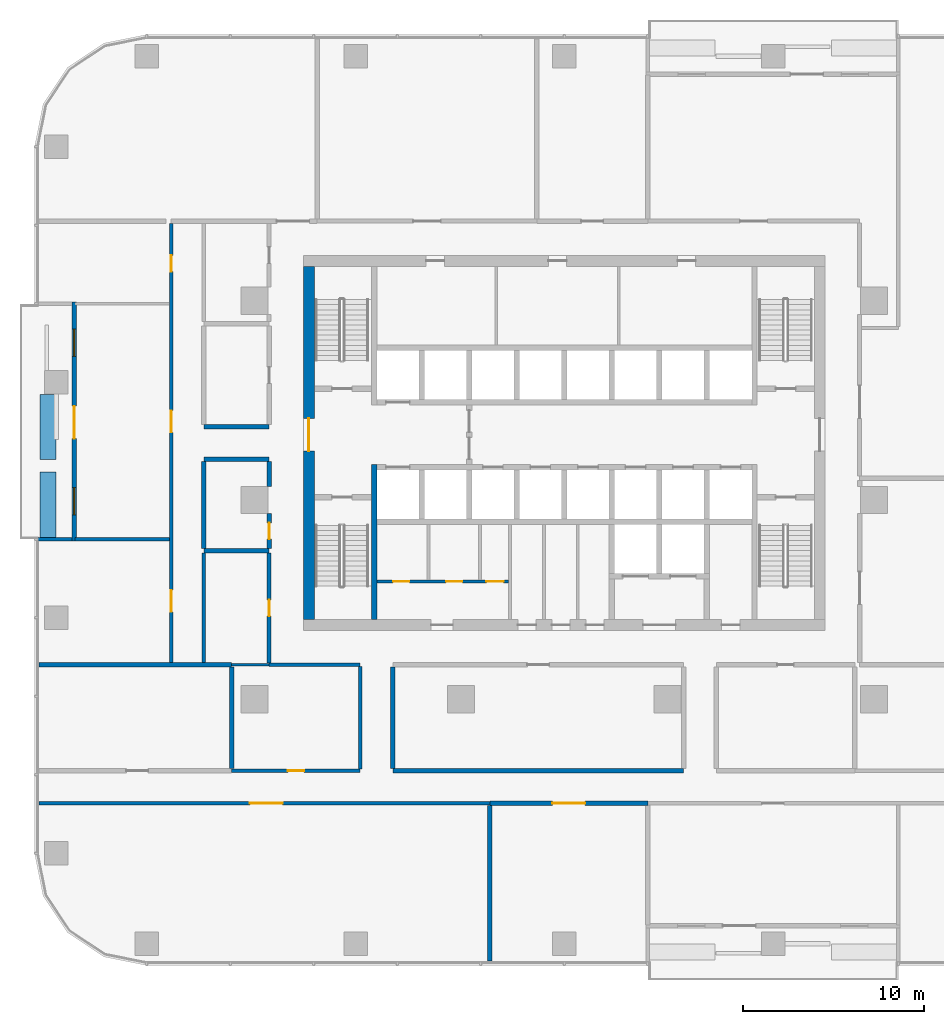
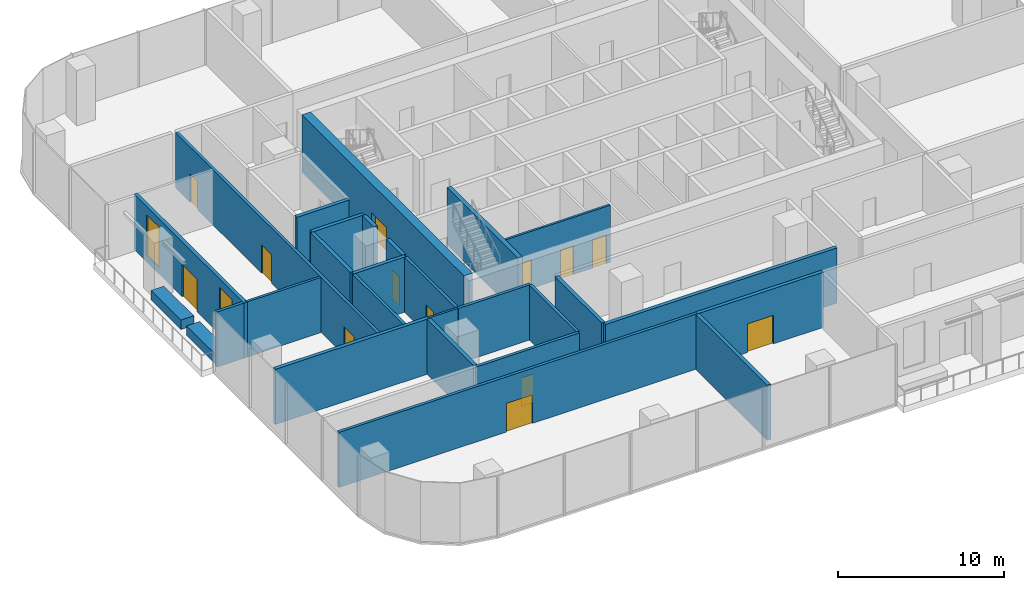
# One storey, part 7 of 15: 28 walls, 13 doors, 2 windows, 15 openings.
"""IFC4 building model written with IfcOpenShell, lengths in metres."""

from ifc_helpers import new_model, si_unit, direction, frame, frame_2d, origin, place, context, subcontext, project, spatial, rectangle, extrude, material, layer, layer_set, type_object, element, fill, save


model = new_model("IFC4")

# Units and contexts
model_context = context("Model", 3, precision=1e-05, world=origin(), true_north=direction((0.0, 1.0)))
body_context = subcontext(model_context, "Body", "Model", "MODEL_VIEW")
ifc_project = project(units=[si_unit("LENGTHUNIT", "METRE"), si_unit("AREAUNIT", "SQUARE_METRE"), si_unit("VOLUMEUNIT", "CUBIC_METRE"), si_unit("PLANEANGLEUNIT", "RADIAN"), si_unit("MASSUNIT", "GRAM", prefix="KILO")], contexts=[model_context])

# Site, building, storey
site_placement = place(None, origin())
site = spatial("IfcSite", under=ifc_project, at=site_placement, CompositionType="ELEMENT")
building_placement = place(site_placement, origin())
building = spatial("IfcBuilding", under=site, at=building_placement, Name="Mopane Tessera Tower", CompositionType="ELEMENT")
storey_placement = place(building_placement, frame((0.0, 0.0, 112.60009765625)))
storey = spatial("IfcBuildingStorey", under=building, at=storey_placement, Name="L22", CompositionType="ELEMENT", Elevation=112.60009765625)

# Wall, openings, doors
ifc_material_1 = material(Name="Fire-rated gypsum board partition")
ifc_layer_1 = layer(ifc_material_1, 0.14990234375)
ifc_layer_set_1 = layer_set([ifc_layer_1], Name="Fire-rated gypsum board partition")
wall_type_1 = type_object("IfcWallType", Name="Core room partition 150 mm", PredefinedType="PARTITIONING", material=ifc_layer_set_1)
wall_1_placement = place(storey_placement, frame((-10.35009765625, -4.5, 0.0), z_axis=(0.0, 0.0, 1.0), x_axis=(1.0, 0.0, 0.0)))
wall_1 = element("IfcWall", 1, at=wall_1_placement, inside=storey, type_object=wall_type_1, Name="L22 WC partition", PredefinedType="PARTITIONING", context=body_context, shape_type="SweptSolid", body=[
    extrude(rectangle(XDim=7.275146484375, YDim=0.14990234375, at=frame_2d((3.6376953125, 0.0))), origin(), (0.0, 0.0, 1.0), 4.199951171875),
])
opening_1_placement = place(wall_1_placement, frame((0.89990234375, 0.0, 0.0)))
opening_1 = element("IfcOpeningElement", 2, at=opening_1_placement, cuts=wall_1, Name="Opening WD1", PredefinedType="OPENING", context=body_context, shape_type="SweptSolid", body=[
    extrude(rectangle(XDim=0.89990234375, YDim=2.10009765625, at=frame_2d((0.449951171875, 1.050048828125))), frame((0.0, 0.0869140625, 0.0), z_axis=(0.0, -1.0, 0.0), x_axis=(1.0, 0.0, 0.0)), (0.0, 0.0, 1.0), 0.173828125),
])
opening_2_placement = place(wall_1_placement, frame((3.824951171875, 0.0, 0.0)))
opening_2 = element("IfcOpeningElement", 3, at=opening_2_placement, cuts=wall_1, Name="Opening WD1", PredefinedType="OPENING", context=body_context, shape_type="SweptSolid", body=[
    extrude(rectangle(XDim=0.89990234375, YDim=2.10009765625, at=frame_2d((0.449951171875, 1.050048828125))), frame((0.0, 0.0869140625, 0.0), z_axis=(0.0, -1.0, 0.0), x_axis=(1.0, 0.0, 0.0)), (0.0, 0.0, 1.0), 0.173828125),
])
opening_3_placement = place(wall_1_placement, frame((6.050048828125, 0.0, 0.0)))
opening_3 = element("IfcOpeningElement", 4, at=opening_3_placement, cuts=wall_1, Name="Opening WD2", PredefinedType="OPENING", context=body_context, shape_type="SweptSolid", body=[
    extrude(rectangle(XDim=0.949951171875, YDim=2.10009765625, at=frame_2d((0.47509765625, 1.050048828125))), frame((0.0, 0.0869140625, 0.0), z_axis=(0.0, -1.0, 0.0), x_axis=(1.0, 0.0, 0.0)), (0.0, 0.0, 1.0), 0.173828125),
])
ifc_material_2 = material(Name="Timber door", Category="wood")
door_type_1 = type_object("IfcDoorType", Name="Accessible WC door 950 x 2100", OperationType="SINGLE_SWING_LEFT", PredefinedType="DOOR", material=ifc_material_2)
door_1_placement = place(opening_3_placement, origin())
door_1 = element("IfcDoor", 5, at=door_1_placement, inside=storey, type_object=door_type_1, Name="L22 Accessible WC door", OperationType="SINGLE_SWING_LEFT", OverallHeight=2.10009765625, OverallWidth=0.949951171875, PredefinedType="DOOR", context=body_context, shape_type="SweptSolid", body=[
    extrude(rectangle(XDim=0.949951171875, YDim=2.10009765625, at=frame_2d((0.47509765625, 1.050048828125))), frame((0.0, 0.02490234375, 0.0), z_axis=(0.0, -1.0, 0.0), x_axis=(1.0, 0.0, 0.0)), (0.0, 0.0, 1.0), 0.050048828125),
])
fill(opening_3, door_1)
ifc_material_3 = material(Name="Timber door", Category="wood")
door_type_2 = type_object("IfcDoorType", Name="WC cubicle door 900 x 2100", OperationType="SINGLE_SWING_LEFT", PredefinedType="DOOR", material=ifc_material_3)
door_2_placement = place(opening_1_placement, origin())
door_2 = element("IfcDoor", 6, at=door_2_placement, inside=storey, type_object=door_type_2, Name="L22 Men's WC door", OperationType="SINGLE_SWING_LEFT", OverallHeight=2.10009765625, OverallWidth=0.89990234375, PredefinedType="DOOR", context=body_context, shape_type="SweptSolid", body=[
    extrude(rectangle(XDim=0.89990234375, YDim=2.10009765625, at=frame_2d((0.449951171875, 1.050048828125))), frame((0.0, 0.02490234375, 0.0), z_axis=(0.0, -1.0, 0.0), x_axis=(1.0, 0.0, 0.0)), (0.0, 0.0, 1.0), 0.050048828125),
])
fill(opening_1, door_2)
door_3_placement = place(opening_2_placement, origin())
door_3 = element("IfcDoor", 7, at=door_3_placement, inside=storey, type_object=door_type_2, Name="L22 Women's WC door", OperationType="SINGLE_SWING_LEFT", OverallHeight=2.10009765625, OverallWidth=0.89990234375, PredefinedType="DOOR", context=body_context, shape_type="SweptSolid", body=[
    extrude(rectangle(XDim=0.89990234375, YDim=2.10009765625, at=frame_2d((0.449951171875, 1.050048828125))), frame((0.0, 0.02490234375, 0.0), z_axis=(0.0, -1.0, 0.0), x_axis=(1.0, 0.0, 0.0)), (0.0, 0.0, 1.0), 0.050048828125),
])
fill(opening_2, door_3)

# Wall, opening, door
ifc_material_4 = material(Name="Concrete C70/85", Category="concrete")
ifc_layer_2 = layer(ifc_material_4, 0.60009765625)
ifc_layer_set_2 = layer_set([ifc_layer_2], Name="Concrete C70/85")
wall_type_2 = type_object("IfcWallType", Name="Core shear wall 600 mm", PredefinedType="SHEAR", material=ifc_layer_set_2)
wall_2_placement = place(storey_placement, frame((-14.10009765625, -6.60009765625, 0.0), z_axis=(0.0, 0.0, 1.0), x_axis=(0.0, 1.0, 0.0)))
wall_2 = element("IfcWall", 8, at=wall_2_placement, inside=storey, type_object=wall_type_2, Name="L22 Core wall west", PredefinedType="SHEAR", context=body_context, shape_type="SweptSolid", body=[
    extrude(rectangle(XDim=19.5, YDim=0.60009765625, at=frame_2d((9.75, 0.0))), origin(), (0.0, 0.0, 1.0), 4.199951171875),
])
opening_4_placement = place(wall_2_placement, frame((9.300048828125, 0.0, 0.0)))
opening_4 = element("IfcOpeningElement", 9, at=opening_4_placement, cuts=wall_2, Name="Opening SD2", PredefinedType="OPENING", context=body_context, shape_type="SweptSolid", body=[
    extrude(rectangle(XDim=1.800048828125, YDim=2.10009765625, at=frame_2d((0.89990234375, 1.050048828125))), frame((0.0, 0.31201171875, 0.0), z_axis=(0.0, -1.0, 0.0), x_axis=(1.0, 0.0, 0.0)), (0.0, 0.0, 1.0), 0.6240234375),
])
ifc_material_5 = material(Name="Steel fire door", Category="steel")
door_type_3 = type_object("IfcDoorType", Name="Core entrance double door 1800 x 2100", OperationType="DOUBLE_DOOR_SINGLE_SWING", PredefinedType="DOOR", material=ifc_material_5)
door_4_placement = place(opening_4_placement, origin())
door_4 = element("IfcDoor", 10, at=door_4_placement, inside=storey, type_object=door_type_3, Name="L22 Core entrance door west", OperationType="DOUBLE_DOOR_SINGLE_SWING", OverallHeight=2.10009765625, OverallWidth=1.800048828125, PredefinedType="DOOR", context=body_context, shape_type="SweptSolid", body=[
    extrude(rectangle(XDim=1.800048828125, YDim=2.10009765625, at=frame_2d((0.89990234375, 1.050048828125))), frame((0.0, 0.02490234375, 0.0), z_axis=(0.0, -1.0, 0.0), x_axis=(1.0, 0.0, 0.0)), (0.0, 0.0, 1.0), 0.050048828125),
])
fill(opening_4, door_4)

# Walls
ifc_material_6 = material(Name="Concrete C60/75", Category="concrete")
ifc_layer_3 = layer(ifc_material_6, 0.300048828125)
ifc_layer_set_3 = layer_set([ifc_layer_3], Name="Concrete C60/75")
wall_type_3 = type_object("IfcWallType", Name="Core spine wall 300 mm", PredefinedType="SHEAR", material=ifc_layer_set_3)
wall_3_placement = place(storey_placement, frame((-10.5, -6.60009765625, 0.0), z_axis=(0.0, 0.0, 1.0), x_axis=(0.0, 1.0, 0.0)))
element("IfcWall", 11, at=wall_3_placement, inside=storey, type_object=wall_type_3, Name="L22 Core spine wall", PredefinedType="SHEAR", context=body_context, shape_type="SweptSolid", body=[
    extrude(rectangle(XDim=8.550048828125, YDim=0.300048828125, at=frame_2d((4.27490234375, 0.0))), origin(), (0.0, 0.0, 1.0), 4.199951171875),
])
ifc_material_7 = material(Name="Gypsum board on staggered steel studs, double layer each face, acoustic mineral wool infill", Category="steel")
ifc_layer_4 = layer(ifc_material_7, 0.175048828125)
ifc_layer_set_4 = layer_set([ifc_layer_4], Name="Gypsum board on staggered steel studs, double layer each face, acoustic mineral wool infill")
wall_type_4 = type_object("IfcWallType", Name="Gypsum board acoustic partition 175, rated EI 60", PredefinedType="PARTITIONING", material=ifc_layer_set_4)
wall_4_placement = place(storey_placement, frame((-27.0, -2.1650390625, 0.0), z_axis=(0.0, 0.0, 1.0), x_axis=(1.0, 0.0, 0.0)))
element("IfcWall", 12, at=wall_4_placement, inside=storey, type_object=wall_type_4, Name="Partition L22:015", PredefinedType="PARTITIONING", context=body_context, shape_type="SweptSolid", body=[
    extrude(rectangle(XDim=5.199951171875, YDim=0.175048828125, at=frame_2d((2.60009765625, 0.0))), origin(), (0.0, 0.0, 1.0), 4.0498046875),
])

# Wall, opening, door
ifc_material_8 = material(Name="Gypsum board on steel studs, two layers each face, mineral wool infill", Category="steel")
ifc_layer_5 = layer(ifc_material_8, 0.199951171875)
ifc_layer_set_5 = layer_set([ifc_layer_5], Name="Gypsum board on steel studs, two layers each face, mineral wool infill")
wall_type_5 = type_object("IfcWallType", Name="Gypsum board corridor wall 200, rated EI 60", PredefinedType="PARTITIONING", material=ifc_layer_set_5)
wall_5_placement = place(storey_placement, frame((-29.0, -16.75, 0.0), z_axis=(0.0, 0.0, 1.0), x_axis=(1.0, 0.0, 0.0)))
wall_5 = element("IfcWall", 13, at=wall_5_placement, inside=storey, type_object=wall_type_5, Name="Partition L22:000", PredefinedType="PARTITIONING", context=body_context, shape_type="SweptSolid", body=[
    extrude(rectangle(XDim=24.885009765625, YDim=0.199951171875, at=frame_2d((12.4423828125, 0.0))), origin(), (0.0, 0.0, 1.0), 4.0498046875),
])
opening_5_placement = place(wall_5_placement, frame((11.642578125, 0.0, 0.0)))
opening_5 = element("IfcOpeningElement", 14, at=opening_5_placement, cuts=wall_5, Name="Opening L22-08", PredefinedType="OPENING", context=body_context, shape_type="SweptSolid", body=[
    extrude(rectangle(XDim=1.800048828125, YDim=2.10009765625, at=frame_2d((0.89990234375, 1.050048828125))), frame((0.0, 0.112060546875, 0.0), z_axis=(0.0, -1.0, 0.0), x_axis=(1.0, 0.0, 0.0)), (0.0, 0.0, 1.0), 0.223876953125),
])
ifc_material_9 = material(Name="Timber veneered steel-framed fire door", Category="steel")
door_type_4 = type_object("IfcDoorType", Name="Fire door pair FD60 1800 x 2100", OperationType="DOUBLE_DOOR_SINGLE_SWING", PredefinedType="DOOR", material=ifc_material_9)
door_5_placement = place(opening_5_placement, origin())
door_5 = element("IfcDoor", 15, at=door_5_placement, inside=storey, type_object=door_type_4, Name="Door L22-08", ObjectType="D20A", OperationType="DOUBLE_DOOR_SINGLE_SWING", OverallHeight=2.10009765625, OverallWidth=1.800048828125, PredefinedType="DOOR", context=body_context, shape_type="SweptSolid", body=[
    extrude(rectangle(XDim=1.800048828125, YDim=2.10009765625, at=frame_2d((0.89990234375, 1.050048828125))), frame((0.0, 0.02490234375, 0.0), z_axis=(0.0, -1.0, 0.0), x_axis=(1.0, 0.0, 0.0)), (0.0, 0.0, 1.0), 0.050048828125),
])
fill(opening_5, door_5)

wall_6_placement = place(storey_placement, frame((-18.364990234375, -14.949951171875, 0.0), z_axis=(0.0, 0.0, 1.0), x_axis=(1.0, 0.0, 0.0)))
wall_6 = element("IfcWall", 16, at=wall_6_placement, inside=storey, type_object=wall_type_5, Name="Partition L22:003", PredefinedType="PARTITIONING", context=body_context, shape_type="SweptSolid", body=[
    extrude(rectangle(XDim=7.094970703125, YDim=0.199951171875, at=frame_2d((3.54736328125, 0.0))), origin(), (0.0, 0.0, 1.0), 4.0498046875),
])
opening_6_placement = place(wall_6_placement, frame((3.097412109375, 0.0, 0.0)))
opening_6 = element("IfcOpeningElement", 17, at=opening_6_placement, cuts=wall_6, Name="Opening L22-14", PredefinedType="OPENING", context=body_context, shape_type="SweptSolid", body=[
    extrude(rectangle(XDim=0.89990234375, YDim=2.10009765625, at=frame_2d((0.449951171875, 1.050048828125))), frame((0.0, 0.112060546875, 0.0), z_axis=(0.0, -1.0, 0.0), x_axis=(1.0, 0.0, 0.0)), (0.0, 0.0, 1.0), 0.223876953125),
])
ifc_material_10 = material(Name="Timber veneered steel-framed fire door", Category="steel")
door_type_5 = type_object("IfcDoorType", Name="Fire door FD60 900 x 2100", OperationType="SINGLE_SWING_LEFT", PredefinedType="DOOR", material=ifc_material_10)
door_6_placement = place(opening_6_placement, origin())
door_6 = element("IfcDoor", 18, at=door_6_placement, inside=storey, type_object=door_type_5, Name="Door L22-14", ObjectType="D10A", OperationType="SINGLE_SWING_LEFT", OverallHeight=2.10009765625, OverallWidth=0.89990234375, PredefinedType="DOOR", context=body_context, shape_type="SweptSolid", body=[
    extrude(rectangle(XDim=0.89990234375, YDim=2.10009765625, at=frame_2d((0.449951171875, 1.050048828125))), frame((0.0, 0.02490234375, 0.0), z_axis=(0.0, -1.0, 0.0), x_axis=(1.0, 0.0, 0.0)), (0.0, 0.0, 1.0), 0.050048828125),
])
fill(opening_6, door_6)

# Wall
wall_7_placement = place(storey_placement, frame((-16.300048828125, -9.10009765625, 0.0), z_axis=(0.0, 0.0, 1.0), x_axis=(1.0, 0.0, 0.0)))
element("IfcWall", 19, at=wall_7_placement, inside=storey, type_object=wall_type_5, Name="Partition L22:009", PredefinedType="PARTITIONING", context=body_context, shape_type="SweptSolid", body=[
    extrude(rectangle(XDim=5.030029296875, YDim=0.199951171875, at=frame_2d((2.51513671875, 0.0))), origin(), (0.0, 0.0, 1.0), 4.0498046875),
])

# Wall, openings, doors
wall_8_placement = place(storey_placement, frame((-21.699951171875, -8.97509765625, 0.0), z_axis=(0.0, 0.0, 1.0), x_axis=(0.0, 1.0, 0.0)))
wall_8 = element("IfcWall", 20, at=wall_8_placement, inside=storey, type_object=wall_type_5, Name="Partition L22:027", PredefinedType="PARTITIONING", context=body_context, shape_type="SweptSolid", body=[
    extrude(rectangle(XDim=24.25, YDim=0.199951171875, at=frame_2d((12.125, 0.0))), origin(), (0.0, 0.0, 1.0), 4.0498046875),
])
opening_7_placement = place(wall_8_placement, frame((2.804931640625, 0.0, 0.0)))
opening_7 = element("IfcOpeningElement", 21, at=opening_7_placement, cuts=wall_8, Name="Opening L22-03", PredefinedType="OPENING", context=body_context, shape_type="SweptSolid", body=[
    extrude(rectangle(XDim=1.199951171875, YDim=2.10009765625, at=frame_2d((0.60009765625, 1.050048828125))), frame((0.0, 0.112060546875, 0.0), z_axis=(0.0, -1.0, 0.0), x_axis=(1.0, 0.0, 0.0)), (0.0, 0.0, 1.0), 0.223876953125),
])
opening_8_placement = place(wall_8_placement, frame((21.580078125, 0.0, 0.0)))
opening_8 = element("IfcOpeningElement", 22, at=opening_8_placement, cuts=wall_8, Name="Opening L22-07", PredefinedType="OPENING", context=body_context, shape_type="SweptSolid", body=[
    extrude(rectangle(XDim=0.89990234375, YDim=2.10009765625, at=frame_2d((0.449951171875, 1.050048828125))), frame((0.0, 0.112060546875, 0.0), z_axis=(0.0, -1.0, 0.0), x_axis=(1.0, 0.0, 0.0)), (0.0, 0.0, 1.0), 0.223876953125),
])
opening_9_placement = place(wall_8_placement, frame((12.7099609375, 0.0, 0.0)))
opening_9 = element("IfcOpeningElement", 23, at=opening_9_placement, cuts=wall_8, Name="Opening L22-16", PredefinedType="OPENING", context=body_context, shape_type="SweptSolid", body=[
    extrude(rectangle(XDim=1.199951171875, YDim=2.10009765625, at=frame_2d((0.60009765625, 1.050048828125))), frame((0.0, 0.112060546875, 0.0), z_axis=(0.0, -1.0, 0.0), x_axis=(1.0, 0.0, 0.0)), (0.0, 0.0, 1.0), 0.223876953125),
])
ifc_material_11 = material(Name="Timber veneered steel-framed fire door", Category="steel")
door_type_6 = type_object("IfcDoorType", Name="Fire door FD60 1200 x 2100", OperationType="SINGLE_SWING_LEFT", PredefinedType="DOOR", material=ifc_material_11)
door_7_placement = place(opening_7_placement, origin())
door_7 = element("IfcDoor", 24, at=door_7_placement, inside=storey, type_object=door_type_6, Name="Door L22-03", ObjectType="D15A", OperationType="SINGLE_SWING_RIGHT", OverallHeight=2.10009765625, OverallWidth=1.199951171875, PredefinedType="DOOR", context=body_context, shape_type="SweptSolid", body=[
    extrude(rectangle(XDim=1.199951171875, YDim=2.10009765625, at=frame_2d((0.60009765625, 1.050048828125))), frame((0.0, 0.02490234375, 0.0), z_axis=(0.0, -1.0, 0.0), x_axis=(1.0, 0.0, 0.0)), (0.0, 0.0, 1.0), 0.050048828125),
])
fill(opening_7, door_7)
door_8_placement = place(opening_9_placement, origin())
door_8 = element("IfcDoor", 25, at=door_8_placement, inside=storey, type_object=door_type_6, Name="Door L22-16", ObjectType="D15A", OperationType="SINGLE_SWING_LEFT", OverallHeight=2.10009765625, OverallWidth=1.199951171875, PredefinedType="DOOR", context=body_context, shape_type="SweptSolid", body=[
    extrude(rectangle(XDim=1.199951171875, YDim=2.10009765625, at=frame_2d((0.60009765625, 1.050048828125))), frame((0.0, 0.02490234375, 0.0), z_axis=(0.0, -1.0, 0.0), x_axis=(1.0, 0.0, 0.0)), (0.0, 0.0, 1.0), 0.050048828125),
])
fill(opening_9, door_8)
door_9_placement = place(opening_8_placement, origin())
door_9 = element("IfcDoor", 26, at=door_9_placement, inside=storey, type_object=door_type_5, Name="Door L22-07", ObjectType="D10A", OperationType="SINGLE_SWING_RIGHT", OverallHeight=2.10009765625, OverallWidth=0.89990234375, PredefinedType="DOOR", context=body_context, shape_type="SweptSolid", body=[
    extrude(rectangle(XDim=0.89990234375, YDim=2.10009765625, at=frame_2d((0.449951171875, 1.050048828125))), frame((0.0, 0.02490234375, 0.0), z_axis=(0.0, -1.0, 0.0), x_axis=(1.0, 0.0, 0.0)), (0.0, 0.0, 1.0), 0.050048828125),
])
fill(opening_8, door_9)

# Wall
wall_9_placement = place(storey_placement, frame((-19.89990234375, -8.97509765625, 0.0), z_axis=(0.0, 0.0, 1.0), x_axis=(0.0, 1.0, 0.0)))
element("IfcWall", 27, at=wall_9_placement, inside=storey, type_object=wall_type_5, Name="Partition L22:028", PredefinedType="PARTITIONING", context=body_context, shape_type="SweptSolid", body=[
    extrude(rectangle(XDim=6.06005859375, YDim=0.199951171875, at=frame_2d((3.030029296875, 0.0))), origin(), (0.0, 0.0, 1.0), 4.0498046875),
])

# Wall, opening, door
wall_10_placement = place(storey_placement, frame((-16.300048828125, -9.0, 0.0), z_axis=(0.0, 0.0, 1.0), x_axis=(0.0, 1.0, 0.0)))
wall_10 = element("IfcWall", 28, at=wall_10_placement, inside=storey, type_object=wall_type_5, Name="Partition L22:033", PredefinedType="PARTITIONING", context=body_context, shape_type="SweptSolid", body=[
    extrude(rectangle(XDim=6.0849609375, YDim=0.199951171875, at=frame_2d((3.04248046875, 0.0))), origin(), (0.0, 0.0, 1.0), 4.0498046875),
])
opening_10_placement = place(wall_10_placement, frame((2.592529296875, 0.0, 0.0)))
opening_10 = element("IfcOpeningElement", 29, at=opening_10_placement, cuts=wall_10, Name="Opening L22-13", PredefinedType="OPENING", context=body_context, shape_type="SweptSolid", body=[
    extrude(rectangle(XDim=0.89990234375, YDim=2.10009765625, at=frame_2d((0.449951171875, 1.050048828125))), frame((0.0, 0.112060546875, 0.0), z_axis=(0.0, -1.0, 0.0), x_axis=(1.0, 0.0, 0.0)), (0.0, 0.0, 1.0), 0.223876953125),
])
door_10_placement = place(opening_10_placement, origin())
door_10 = element("IfcDoor", 30, at=door_10_placement, inside=storey, type_object=door_type_5, Name="Door L22-13", ObjectType="D10A", OperationType="SINGLE_SWING_RIGHT", OverallHeight=2.10009765625, OverallWidth=0.89990234375, PredefinedType="DOOR", context=body_context, shape_type="SweptSolid", body=[
    extrude(rectangle(XDim=0.89990234375, YDim=2.10009765625, at=frame_2d((0.449951171875, 1.050048828125))), frame((0.0, 0.02490234375, 0.0), z_axis=(0.0, -1.0, 0.0), x_axis=(1.0, 0.0, 0.0)), (0.0, 0.0, 1.0), 0.050048828125),
])
fill(opening_10, door_10)

# Walls
wall_11_placement = place(storey_placement, frame((-11.27001953125, -14.85009765625, 0.0), z_axis=(0.0, 0.0, 1.0), x_axis=(0.0, 1.0, 0.0)))
element("IfcWall", 31, at=wall_11_placement, inside=storey, type_object=wall_type_5, Name="Partition L22:040", PredefinedType="PARTITIONING", context=body_context, shape_type="SweptSolid", body=[
    extrude(rectangle(XDim=5.650146484375, YDim=0.199951171875, at=frame_2d((2.8251953125, 0.0))), origin(), (0.0, 0.0, 1.0), 4.0498046875),
])
ifc_material_12 = material(Name="Gypsum board on steel studs, mineral wool infill", Category="steel")
ifc_layer_6 = layer(ifc_material_12, 0.14990234375)
ifc_layer_set_6 = layer_set([ifc_layer_6], Name="Gypsum board on steel studs, mineral wool infill")
wall_type_6 = type_object("IfcWallType", Name="Gypsum board partition 150, rated EI 60", PredefinedType="PARTITIONING", material=ifc_layer_set_6)
wall_12_placement = place(storey_placement, frame((-18.364990234375, -9.10009765625, 0.0), z_axis=(0.0, 0.0, 1.0), x_axis=(1.0, 0.0, 0.0)))
element("IfcWall", 32, at=wall_12_placement, inside=storey, type_object=wall_type_6, Name="Partition L22:008", PredefinedType="PARTITIONING", context=body_context, shape_type="SweptSolid", body=[
    extrude(rectangle(XDim=2.06494140625, YDim=0.14990234375, at=frame_2d((1.032470703125, 0.0))), origin(), (0.0, 0.0, 1.0), 4.0498046875),
])
ifc_material_13 = material(Name="Reinforced concrete C32/40 with waterproofing", Category="concrete")
ifc_layer_7 = layer(ifc_material_13, 0.89990234375)
ifc_layer_set_7 = layer_set([ifc_layer_7], Name="Reinforced concrete C32/40 with waterproofing")
wall_type_7 = type_object("IfcWallType", Name="Planter trough 3600 x 900", PredefinedType="STANDARD", material=ifc_layer_set_7)
for number, where, z_axis, x_axis, name in (
    (33, (-28.5, 5.830078125, 0.0), (0.0, 0.0, 1.0), (0.0, -1.0, 0.0), "e:nw:L22:N2:pl0"),
    (34, (-28.5, 1.533447265625, 0.0), (0.0, 0.0, 1.0), (0.0, -1.0, 0.0), "e:nw:L22:N2:pl1"),
):
    element("IfcWall", number, at=place(storey_placement, frame(where, z_axis=z_axis, x_axis=x_axis)), inside=storey, type_object=wall_type_7, Name=name, PredefinedType="STANDARD", context=body_context, shape_type="SweptSolid", body=[
        extrude(rectangle(XDim=3.60009765625, YDim=0.89990234375, at=frame_2d((1.800048828125, 0.0))), origin(), (0.0, 0.0, 1.0), 0.699951171875),
    ])

# Wall, opening, door
ifc_material_14 = material(Name="Plastered concrete blockwork C20/25", Category="masonry")
ifc_layer_8 = layer(ifc_material_14, 0.25)
ifc_layer_set_8 = layer_set([ifc_layer_8], Name="Plastered concrete blockwork C20/25")
wall_type_8 = type_object("IfcWallType", Name="Plastered blockwork wall 250, rated EI 120", PredefinedType="PARTITIONING", material=ifc_layer_set_8)
wall_13_placement = place(storey_placement, frame((-4.114990234375, -16.75, 0.0), z_axis=(0.0, 0.0, 1.0), x_axis=(1.0, 0.0, 0.0)))
wall_13 = element("IfcWall", 35, at=wall_13_placement, inside=storey, type_object=wall_type_8, Name="Partition L22:002", PredefinedType="PARTITIONING", context=body_context, shape_type="SweptSolid", body=[
    extrude(rectangle(XDim=8.72509765625, YDim=0.25, at=frame_2d((4.362548828125, 0.0))), origin(), (0.0, 0.0, 1.0), 4.0498046875),
])
opening_11_placement = place(wall_13_placement, frame((3.46240234375, 0.0, 0.0)))
opening_11 = element("IfcOpeningElement", 36, at=opening_11_placement, cuts=wall_13, Name="Opening L22-22", PredefinedType="OPENING", context=body_context, shape_type="SweptSolid", body=[
    extrude(rectangle(XDim=1.800048828125, YDim=2.10009765625, at=frame_2d((0.89990234375, 1.050048828125))), frame((0.0, 0.136962890625, 0.0), z_axis=(0.0, -1.0, 0.0), x_axis=(1.0, 0.0, 0.0)), (0.0, 0.0, 1.0), 0.27392578125),
])
ifc_material_15 = material(Name="Timber veneered steel-framed fire door", Category="steel")
door_type_7 = type_object("IfcDoorType", Name="Fire door pair FD120 1800 x 2100", OperationType="DOUBLE_DOOR_SINGLE_SWING", PredefinedType="DOOR", material=ifc_material_15)
door_11_placement = place(opening_11_placement, origin())
door_11 = element("IfcDoor", 37, at=door_11_placement, inside=storey, type_object=door_type_7, Name="Door L22-22", ObjectType="D20B", OperationType="DOUBLE_DOOR_SINGLE_SWING", OverallHeight=2.10009765625, OverallWidth=1.800048828125, PredefinedType="DOOR", context=body_context, shape_type="SweptSolid", body=[
    extrude(rectangle(XDim=1.800048828125, YDim=2.10009765625, at=frame_2d((0.89990234375, 1.050048828125))), frame((0.0, 0.02490234375, 0.0), z_axis=(0.0, -1.0, 0.0), x_axis=(1.0, 0.0, 0.0)), (0.0, 0.0, 1.0), 0.050048828125),
])
fill(opening_11, door_11)

# Walls
wall_14_placement = place(storey_placement, frame((-9.469970703125, -14.949951171875, 0.0), z_axis=(0.0, 0.0, 1.0), x_axis=(1.0, 0.0, 0.0)))
element("IfcWall", 38, at=wall_14_placement, inside=storey, type_object=wall_type_8, Name="Partition L22:006", PredefinedType="PARTITIONING", context=body_context, shape_type="SweptSolid", body=[
    extrude(rectangle(XDim=16.06005859375, YDim=0.25, at=frame_2d((8.030029296875, 0.0))), origin(), (0.0, 0.0, 1.0), 4.0498046875),
])
wall_15_placement = place(storey_placement, frame((-29.0, -9.10009765625, 0.0), z_axis=(0.0, 0.0, 1.0), x_axis=(1.0, 0.0, 0.0)))
element("IfcWall", 39, at=wall_15_placement, inside=storey, type_object=wall_type_8, Name="Partition L22:010", PredefinedType="PARTITIONING", context=body_context, shape_type="SweptSolid", body=[
    extrude(rectangle(XDim=10.635009765625, YDim=0.25, at=frame_2d((5.3173828125, 0.0))), origin(), (0.0, 0.0, 1.0), 4.0498046875),
])
for number, where, z_axis, x_axis, name in (
    (40, (-19.89990234375, -2.7900390625, 0.0), (0.0, 0.0, 1.0), (1.0, 0.0, 0.0), "Partition L22:014"),
    (41, (-19.89990234375, 2.25, 0.0), (0.0, 0.0, 1.0), (1.0, 0.0, 0.0), "Partition L22:017"),
    (42, (-19.89990234375, 4.050048828125, 0.0), (0.0, 0.0, 1.0), (1.0, 0.0, 0.0), "Partition L22:018"),
):
    element("IfcWall", number, at=place(storey_placement, frame(where, z_axis=z_axis, x_axis=x_axis)), inside=storey, type_object=wall_type_8, Name=name, PredefinedType="PARTITIONING", context=body_context, shape_type="SweptSolid", body=[
        extrude(rectangle(XDim=3.599853515625, YDim=0.25, at=frame_2d((1.7998046875, 0.0))), origin(), (0.0, 0.0, 1.0), 4.0498046875),
    ])
wall_16_placement = place(storey_placement, frame((-19.89990234375, -2.6650390625, 0.0), z_axis=(0.0, 0.0, 1.0), x_axis=(0.0, 1.0, 0.0)))
element("IfcWall", 43, at=wall_16_placement, inside=storey, type_object=wall_type_8, Name="Partition L22:030", PredefinedType="PARTITIONING", context=body_context, shape_type="SweptSolid", body=[
    extrude(rectangle(XDim=4.7900390625, YDim=0.25, at=frame_2d((2.39501953125, 0.0))), origin(), (0.0, 0.0, 1.0), 4.0498046875),
])
wall_17_placement = place(storey_placement, frame((-18.364990234375, -14.824951171875, 0.0), z_axis=(0.0, 0.0, 1.0), x_axis=(0.0, 1.0, 0.0)))
element("IfcWall", 44, at=wall_17_placement, inside=storey, type_object=wall_type_8, Name="Partition L22:032", PredefinedType="PARTITIONING", context=body_context, shape_type="SweptSolid", body=[
    extrude(rectangle(XDim=5.599853515625, YDim=0.25, at=frame_2d((2.7998046875, 0.0))), origin(), (0.0, 0.0, 1.0), 4.0498046875),
])

# Wall, opening, door
wall_18_placement = place(storey_placement, frame((-16.300048828125, -2.6650390625, 0.0), z_axis=(0.0, 0.0, 1.0), x_axis=(0.0, 1.0, 0.0)))
wall_18 = element("IfcWall", 45, at=wall_18_placement, inside=storey, type_object=wall_type_8, Name="Partition L22:036", PredefinedType="PARTITIONING", context=body_context, shape_type="SweptSolid", body=[
    extrude(rectangle(XDim=1.9150390625, YDim=0.25, at=frame_2d((0.95751953125, 0.0))), origin(), (0.0, 0.0, 1.0), 4.0498046875),
])
opening_12_placement = place(wall_18_placement, frame((0.507568359375, 0.0, 0.0)))
opening_12 = element("IfcOpeningElement", 46, at=opening_12_placement, cuts=wall_18, Name="Opening L22-15", PredefinedType="OPENING", context=body_context, shape_type="SweptSolid", body=[
    extrude(rectangle(XDim=0.89990234375, YDim=2.10009765625, at=frame_2d((0.449951171875, 1.050048828125))), frame((0.0, 0.136962890625, 0.0), z_axis=(0.0, -1.0, 0.0), x_axis=(1.0, 0.0, 0.0)), (0.0, 0.0, 1.0), 0.27392578125),
])
ifc_material_16 = material(Name="Timber veneered steel-framed fire door", Category="steel")
door_type_8 = type_object("IfcDoorType", Name="Fire door FD120 900 x 2100", OperationType="SINGLE_SWING_LEFT", PredefinedType="DOOR", material=ifc_material_16)
door_12_placement = place(opening_12_placement, origin())
door_12 = element("IfcDoor", 47, at=door_12_placement, inside=storey, type_object=door_type_8, Name="Door L22-15", ObjectType="D10B", OperationType="SINGLE_SWING_LEFT", OverallHeight=2.10009765625, OverallWidth=0.89990234375, PredefinedType="DOOR", context=body_context, shape_type="SweptSolid", body=[
    extrude(rectangle(XDim=0.89990234375, YDim=2.10009765625, at=frame_2d((0.449951171875, 1.050048828125))), frame((0.0, 0.02490234375, 0.0), z_axis=(0.0, -1.0, 0.0), x_axis=(1.0, 0.0, 0.0)), (0.0, 0.0, 1.0), 0.050048828125),
])
fill(opening_12, door_12)

# Walls
wall_19_placement = place(storey_placement, frame((-16.300048828125, 0.75, 0.0), z_axis=(0.0, 0.0, 1.0), x_axis=(0.0, 1.0, 0.0)))
element("IfcWall", 48, at=wall_19_placement, inside=storey, type_object=wall_type_8, Name="Partition L22:037", PredefinedType="PARTITIONING", context=body_context, shape_type="SweptSolid", body=[
    extrude(rectangle(XDim=1.375, YDim=0.25, at=frame_2d((0.6875, 0.0))), origin(), (0.0, 0.0, 1.0), 4.0498046875),
])
wall_20_placement = place(storey_placement, frame((-9.469970703125, -14.824951171875, 0.0), z_axis=(0.0, 0.0, 1.0), x_axis=(0.0, 1.0, 0.0)))
element("IfcWall", 49, at=wall_20_placement, inside=storey, type_object=wall_type_8, Name="Partition L22:041", PredefinedType="PARTITIONING", context=body_context, shape_type="SweptSolid", body=[
    extrude(rectangle(XDim=5.599853515625, YDim=0.25, at=frame_2d((2.7998046875, 0.0))), origin(), (0.0, 0.0, 1.0), 4.0498046875),
])
wall_21_placement = place(storey_placement, frame((-4.114990234375, -25.449951171875, 0.0), z_axis=(0.0, 0.0, 1.0), x_axis=(0.0, 1.0, 0.0)))
element("IfcWall", 50, at=wall_21_placement, inside=storey, type_object=wall_type_8, Name="Partition L22:042", PredefinedType="PARTITIONING", context=body_context, shape_type="SweptSolid", body=[
    extrude(rectangle(XDim=8.574951171875, YDim=0.25, at=frame_2d((4.28759765625, 0.0))), origin(), (0.0, 0.0, 1.0), 4.0498046875),
])
ifc_material_17 = material(Name="Blockwork with glazed tile facing", Category="masonry")
ifc_layer_9 = layer(ifc_material_17, 0.199951171875)
ifc_layer_set_9 = layer_set([ifc_layer_9], Name="Blockwork with glazed tile facing")
wall_type_9 = type_object("IfcWallType", Name="Terrace cheek wall 200", PredefinedType="STANDARD", material=ifc_layer_set_9)
wall_22_placement = place(storey_placement, frame((-29.050048828125, -2.166748046875, 0.0), z_axis=(0.0, 0.0, 1.0), x_axis=(1.0, 0.0, 0.0)))
element("IfcWall", 51, at=wall_22_placement, inside=storey, type_object=wall_type_9, Name="e:nw:L22:N2:cheekb", PredefinedType="STANDARD", context=body_context, shape_type="SweptSolid", body=[
    extrude(rectangle(XDim=1.875, YDim=0.199951171875, at=frame_2d((0.9375, 0.0))), origin(), (0.0, 0.0, 1.0), 4.0498046875),
])

# Wall, openings, windows, door
ifc_material_18 = material(Name="Blockwork with turquoise glazed tile facing", Category="masonry")
ifc_layer_10 = layer(ifc_material_18, 0.25)
ifc_layer_set_10 = layer_set([ifc_layer_10], Name="Blockwork with turquoise glazed tile facing")
wall_type_10 = type_object("IfcWallType", Name="Tile-clad external wall 250, turquoise", PredefinedType="STANDARD", material=ifc_layer_set_10)
wall_23_placement = place(storey_placement, frame((-27.050048828125, 10.933349609375, 0.0), z_axis=(0.0, 0.0, 1.0), x_axis=(0.0, -1.0, 0.0)))
wall_23 = element("IfcWall", 52, at=wall_23_placement, inside=storey, type_object=wall_type_10, Name="e:nw:L22:N2:back", PredefinedType="STANDARD", context=body_context, shape_type="SweptSolid", body=[
    extrude(rectangle(XDim=13.199951171875, YDim=0.25, at=frame_2d((6.60009765625, 0.0))), origin(), (0.0, 0.0, 1.0), 4.0498046875),
])
opening_13_placement = place(wall_23_placement, frame((1.5, 0.0, 0.449951171875)))
opening_13 = element("IfcOpeningElement", 53, at=opening_13_placement, cuts=wall_23, Name="Opening NW222A", PredefinedType="OPENING", context=body_context, shape_type="SweptSolid", body=[
    extrude(rectangle(XDim=1.5, YDim=3.0, at=frame_2d((0.75, 1.5))), frame((0.0, 0.136962890625, 0.0), z_axis=(0.0, -1.0, 0.0), x_axis=(1.0, 0.0, 0.0)), (0.0, 0.0, 1.0), 0.27392578125),
])
opening_14_placement = place(wall_23_placement, frame((5.75, 0.0, 0.0)))
opening_14 = element("IfcOpeningElement", 54, at=opening_14_placement, cuts=wall_23, Name="Opening ND222", PredefinedType="OPENING", context=body_context, shape_type="SweptSolid", body=[
    extrude(rectangle(XDim=1.800048828125, YDim=2.39990234375, at=frame_2d((0.89990234375, 1.199951171875))), frame((0.0, 0.136962890625, 0.0), z_axis=(0.0, -1.0, 0.0), x_axis=(1.0, 0.0, 0.0)), (0.0, 0.0, 1.0), 0.27392578125),
])
opening_15_placement = place(wall_23_placement, frame((10.25, 0.0, 0.449951171875)))
opening_15 = element("IfcOpeningElement", 55, at=opening_15_placement, cuts=wall_23, Name="Opening NW222B", PredefinedType="OPENING", context=body_context, shape_type="SweptSolid", body=[
    extrude(rectangle(XDim=1.5, YDim=3.0, at=frame_2d((0.75, 1.5))), frame((0.0, 0.136962890625, 0.0), z_axis=(0.0, -1.0, 0.0), x_axis=(1.0, 0.0, 0.0)), (0.0, 0.0, 1.0), 0.27392578125),
])
ifc_material_19 = material(Name="Clear laminated glass", Category="glass")
window_type = type_object("IfcWindowType", Name="Fixed window 1500 x 3000", PartitioningType="SINGLE_PANEL", PredefinedType="WINDOW", material=ifc_material_19)
window_1_placement = place(opening_13_placement, origin())
window_1 = element("IfcWindow", 56, at=window_1_placement, inside=storey, type_object=window_type, Name="e:nw:L22:N2:win0", OverallHeight=3.0, OverallWidth=1.5, PartitioningType="SINGLE_PANEL", PredefinedType="WINDOW", context=body_context, shape_type="SweptSolid", body=[
    extrude(rectangle(XDim=1.5, YDim=3.0, at=frame_2d((0.75, 1.5))), frame((0.0, 0.030029296875, 0.0), z_axis=(0.0, -1.0, 0.0), x_axis=(1.0, 0.0, 0.0)), (0.0, 0.0, 1.0), 0.06005859375),
])
fill(opening_13, window_1)
window_2_placement = place(opening_15_placement, origin())
window_2 = element("IfcWindow", 57, at=window_2_placement, inside=storey, type_object=window_type, Name="e:nw:L22:N2:win2", OverallHeight=3.0, OverallWidth=1.5, PartitioningType="SINGLE_PANEL", PredefinedType="WINDOW", context=body_context, shape_type="SweptSolid", body=[
    extrude(rectangle(XDim=1.5, YDim=3.0, at=frame_2d((0.75, 1.5))), frame((0.0, 0.030029296875, 0.0), z_axis=(0.0, -1.0, 0.0), x_axis=(1.0, 0.0, 0.0)), (0.0, 0.0, 1.0), 0.06005859375),
])
fill(opening_15, window_2)
ifc_material_20 = material(Name="Aluminium and clear glass", Category="aluminium")
door_type_9 = type_object("IfcDoorType", Name="Terrace double door 1800 x 2400", OperationType="DOUBLE_DOOR_SINGLE_SWING", PredefinedType="DOOR", material=ifc_material_20)
door_13_placement = place(opening_14_placement, origin())
door_13 = element("IfcDoor", 58, at=door_13_placement, inside=storey, type_object=door_type_9, Name="e:nw:L22:N2:door", ObjectType="D1", OperationType="DOUBLE_DOOR_SINGLE_SWING", OverallHeight=2.39990234375, OverallWidth=1.800048828125, PredefinedType="DOOR", context=body_context, shape_type="SweptSolid", body=[
    extrude(rectangle(XDim=1.800048828125, YDim=2.39990234375, at=frame_2d((0.89990234375, 1.199951171875))), frame((0.0, 0.02490234375, 0.0), z_axis=(0.0, -1.0, 0.0), x_axis=(1.0, 0.0, 0.0)), (0.0, 0.0, 1.0), 0.050048828125),
])
fill(opening_14, door_13)

save(model, "model.ifc")
